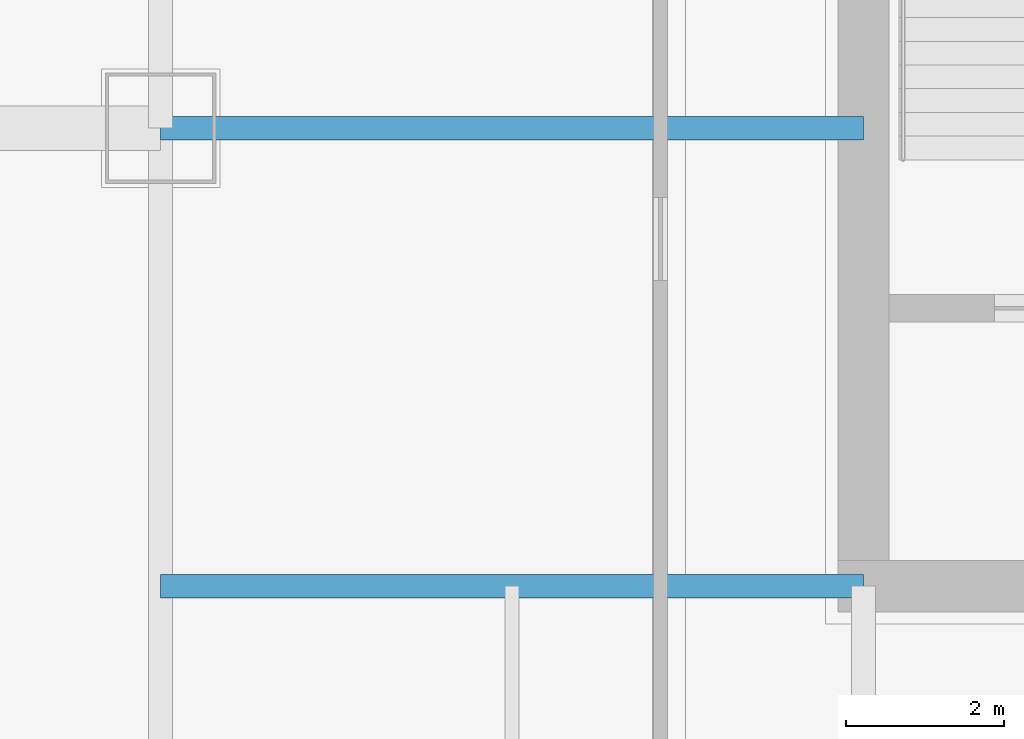
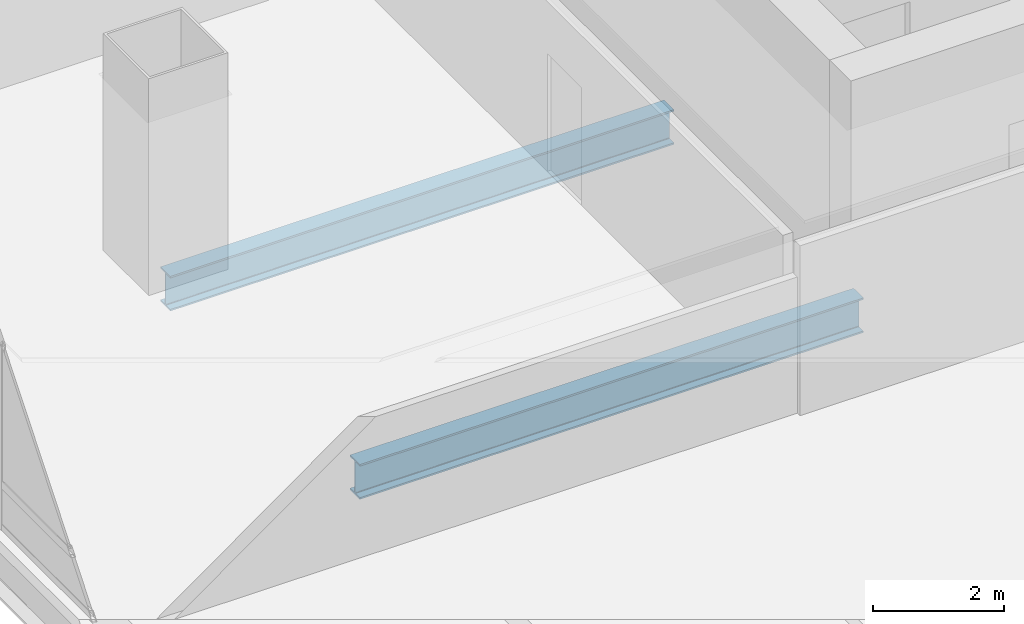
# One storey, part 7 of 38: 2 beams.
"""IFC4 building model written with IfcOpenShell, lengths in metres."""

from ifc_helpers import new_model, si_unit, direction, frame, origin, origin_2d, place, context, subcontext, project, spatial, i_section, extrude, material, material_profile, profile_set, type_object, element, save


model = new_model("IFC4")

# Units and contexts
model_context = context("Model", 3, precision=1e-05, world=origin(), true_north=direction((0.0, 1.0)))
body_context = subcontext(model_context, "Body", "Model", "MODEL_VIEW")
ifc_project = project(units=[si_unit("LENGTHUNIT", "METRE"), si_unit("AREAUNIT", "SQUARE_METRE"), si_unit("VOLUMEUNIT", "CUBIC_METRE"), si_unit("PLANEANGLEUNIT", "RADIAN"), si_unit("MASSUNIT", "GRAM", prefix="KILO")], contexts=[model_context])

# Site, building, storey
site_placement = place(None, origin())
site = spatial("IfcSite", under=ifc_project, at=site_placement, CompositionType="ELEMENT")
building_placement = place(site_placement, origin())
building = spatial("IfcBuilding", under=site, at=building_placement, Name="Punatoya Terracotta Tower", CompositionType="ELEMENT")
storey_placement = place(building_placement, frame((0.0, 0.0, 156.0)))
storey = spatial("IfcBuildingStorey", under=building, at=storey_placement, Name="L36", CompositionType="ELEMENT", Elevation=156.0)

# Beams
ifc_material = material(Name="Steel S355", Category="steel")
ifc_material_profile = material_profile(ifc_material, i_section(OverallWidth=0.300048828125, OverallDepth=0.64990234375, WebThickness=0.01611328125, FlangeThickness=0.031005859375, FilletRadius=0.01806640625, at=origin_2d()))
ifc_profile_set = profile_set([ifc_material_profile], Name="Steel S355")
beam_type = type_object("IfcBeamType", Name="BM-PRI-650", PredefinedType="BEAM", material=ifc_profile_set)
for number, where, z_axis, x_axis, name in (
    (1, (-19.10009765625, -9.199951171875, -0.544921875), (1.0, 0.0, 0.0), (0.0, 1.0, 0.0), "BM-L36-PR-WS"),
    (2, (-19.10009765625, -3.39990234375, -0.544921875), (1.0, 0.0, 0.0), (0.0, 1.0, 0.0), "BM-L36-PR-WD"),
):
    element("IfcBeam", number, at=place(storey_placement, frame(where, z_axis=z_axis, x_axis=x_axis)), inside=storey, type_object=beam_type, Name=name, PredefinedType="BEAM", context=body_context, shape_type="SweptSolid", body=[
        extrude(i_section(OverallWidth=0.300048828125, OverallDepth=0.64990234375, WebThickness=0.01611328125, FlangeThickness=0.031005859375, FilletRadius=0.01806640625, at=origin_2d()), origin(), (0.0, 0.0, 1.0), 8.900146484375),
    ])

save(model, "model.ifc")
